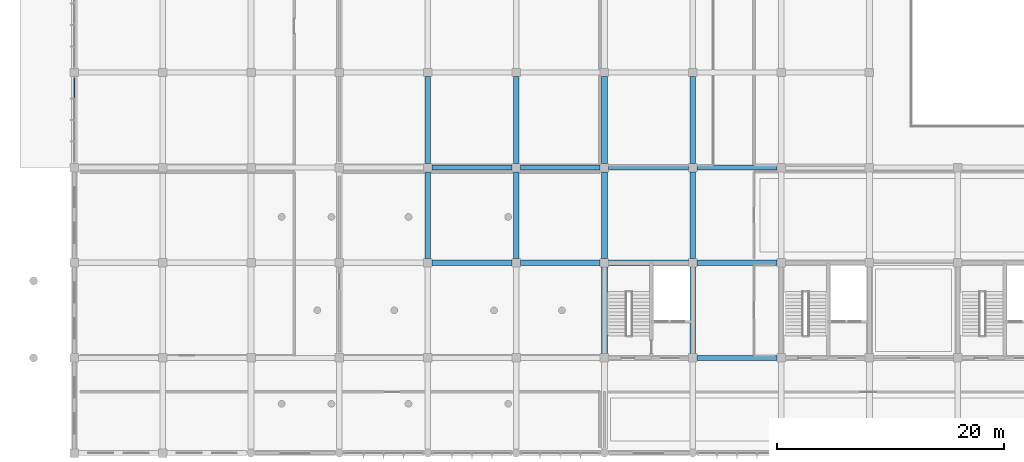
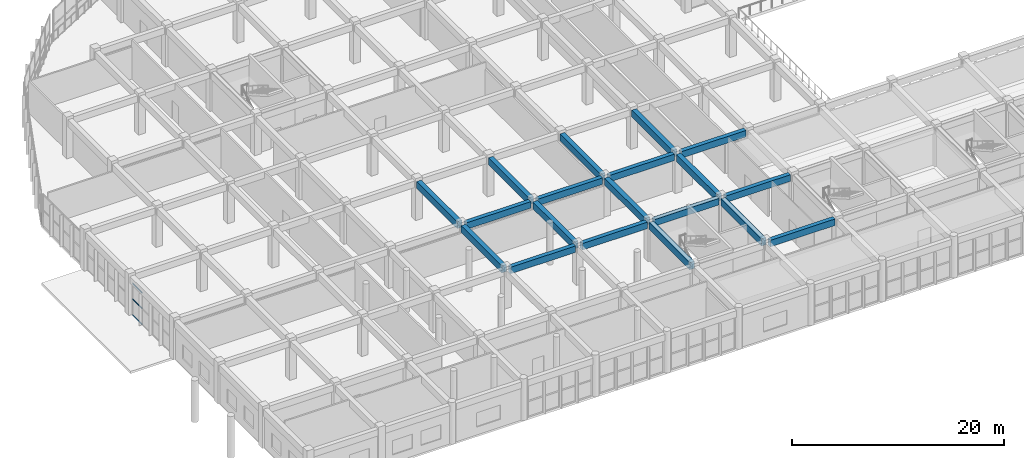
# One storey, part 19 of 175: 19 beams, 3 members, 1 element without a shape of its own.
"""IFC4 building model written with IfcOpenShell, lengths in metres."""

from ifc_helpers import new_model, si_unit, direction, frame, origin, origin_2d, place, context, subcontext, project, spatial, rectangle, hollow_rectangle, extrude, material, layer, layer_set, material_profile, profile_set, type_object, element, aggregate, save


model = new_model("IFC4")

# Units and contexts
model_context = context("Model", 3, precision=1e-05, world=origin(), true_north=direction((0.0, 1.0)))
body_context = subcontext(model_context, "Body", "Model", "MODEL_VIEW")
ifc_project = project(units=[si_unit("LENGTHUNIT", "METRE"), si_unit("AREAUNIT", "SQUARE_METRE"), si_unit("VOLUMEUNIT", "CUBIC_METRE"), si_unit("PLANEANGLEUNIT", "RADIAN"), si_unit("MASSUNIT", "GRAM", prefix="KILO")], contexts=[model_context])

# Site, building, storey
site_placement = place(None, origin())
site = spatial("IfcSite", under=ifc_project, at=site_placement, CompositionType="ELEMENT")
building_placement = place(site_placement, origin())
building = spatial("IfcBuilding", under=site, at=building_placement, Name="Zizhar Promenade General Hospital", CompositionType="ELEMENT")
storey_placement = place(building_placement, frame((0.0, 0.0, 4.800048828125)))
storey = spatial("IfcBuildingStorey", under=building, at=storey_placement, Name="L01", CompositionType="ELEMENT", Elevation=4.800048828125)

# Beams
ifc_material_1 = material(Name="Concrete C35/45", Category="concrete")
ifc_material_profile_1 = material_profile(ifc_material_1, rectangle(XDim=0.449951171875, YDim=0.75, at=origin_2d()))
ifc_profile_set_1 = profile_set([ifc_material_profile_1], Name="Concrete C35/45")
beam_type_1 = type_object("IfcBeamType", Name="BM-RC-450x750", PredefinedType="BEAM", material=ifc_profile_set_1)
for number, where, z_axis, x_axis, name in (
    (1, (31.574951171875, 16.800048828125, 4.094970703125), (1.0, 0.0, 0.0), (0.0, 1.0, 0.0), "Grid Beam X L01 (4-2)"),
    (2, (31.574951171875, 25.199951171875, 4.094970703125), (1.0, 0.0, 0.0), (0.0, 1.0, 0.0), "Grid Beam X L01 (4-3)"),
    (3, (39.375, 16.800048828125, 4.094970703125), (1.0, 0.0, 0.0), (0.0, 1.0, 0.0), "Grid Beam X L01 (5-2)"),
    (4, (39.375, 25.199951171875, 4.094970703125), (1.0, 0.0, 0.0), (0.0, 1.0, 0.0), "Grid Beam X L01 (5-3)"),
    (5, (47.175048828125, 16.800048828125, 4.094970703125), (1.0, 0.0, 0.0), (0.0, 1.0, 0.0), "Grid Beam X L01 (6-2)"),
    (6, (47.175048828125, 25.199951171875, 4.094970703125), (1.0, 0.0, 0.0), (0.0, 1.0, 0.0), "Grid Beam X L01 (6-3)"),
):
    element("IfcBeam", number, at=place(storey_placement, frame(where, z_axis=z_axis, x_axis=x_axis)), inside=storey, type_object=beam_type_1, Name=name, PredefinedType="BEAM", context=body_context, shape_type="SweptSolid", body=[
        extrude(rectangle(XDim=0.449951171875, YDim=0.75, at=origin_2d()), origin(), (0.0, 0.0, 1.0), 7.050048828125),
    ])
for number, where, z_axis, x_axis, name in (
    (7, (54.97509765625, 8.39990234375, 4.094970703125), (1.0, 0.0, 0.0), (0.0, 1.0, 0.0), "Grid Beam X L01 (7-1)"),
    (8, (54.97509765625, 16.800048828125, 4.094970703125), (1.0, 0.0, 0.0), (0.0, 1.0, 0.0), "Grid Beam X L01 (7-2)"),
    (9, (54.97509765625, 25.199951171875, 4.094970703125), (1.0, 0.0, 0.0), (0.0, 1.0, 0.0), "Grid Beam X L01 (7-3)"),
):
    element("IfcBeam", number, at=place(storey_placement, frame(where, z_axis=z_axis, x_axis=x_axis)), inside=storey, type_object=beam_type_1, Name=name, PredefinedType="BEAM", context=body_context, shape_type="SweptSolid", body=[
        extrude(rectangle(XDim=0.449951171875, YDim=0.75, at=origin_2d()), origin(), (0.0, 0.0, 1.0), 7.0498046875),
    ])
ifc_material_2 = material(Name="Concrete C35/45", Category="concrete")
ifc_material_profile_2 = material_profile(ifc_material_2, rectangle(XDim=0.5, YDim=0.800048828125, at=origin_2d()))
ifc_profile_set_2 = profile_set([ifc_material_profile_2], Name="Concrete C35/45")
beam_type_2 = type_object("IfcBeamType", Name="BM-RC-500x800", PredefinedType="BEAM", material=ifc_profile_set_2)
beam_1_placement = place(storey_placement, frame((31.199951171875, 17.175048828125, 4.070068359375), z_axis=(0.0, 1.0, 0.0), x_axis=(-1.0, 0.0, 0.0)))
element("IfcBeam", 10, at=beam_1_placement, inside=storey, type_object=beam_type_2, Name="Grid Beam Y L01 (4-2)", PredefinedType="BEAM", context=body_context, shape_type="SweptSolid", body=[
    extrude(rectangle(XDim=0.5, YDim=0.800048828125, at=origin_2d()), origin(), (0.0, 0.0, 1.0), 7.64990234375),
])
beam_2_placement = place(storey_placement, frame((31.199951171875, 25.574951171875, 4.070068359375), z_axis=(0.0, 1.0, 0.0), x_axis=(-1.0, 0.0, 0.0)))
element("IfcBeam", 11, at=beam_2_placement, inside=storey, type_object=beam_type_2, Name="Grid Beam Y L01 (4-3)", PredefinedType="BEAM", context=body_context, shape_type="SweptSolid", body=[
    extrude(rectangle(XDim=0.5, YDim=0.800048828125, at=origin_2d()), origin(), (0.0, 0.0, 1.0), 7.650146484375),
])
beam_3_placement = place(storey_placement, frame((39.0, 17.175048828125, 4.070068359375), z_axis=(0.0, 1.0, 0.0), x_axis=(-1.0, 0.0, 0.0)))
element("IfcBeam", 12, at=beam_3_placement, inside=storey, type_object=beam_type_2, Name="Grid Beam Y L01 (5-2)", PredefinedType="BEAM", context=body_context, shape_type="SweptSolid", body=[
    extrude(rectangle(XDim=0.5, YDim=0.800048828125, at=origin_2d()), origin(), (0.0, 0.0, 1.0), 7.64990234375),
])
for number, where, z_axis, x_axis, name in (
    (13, (39.0, 25.574951171875, 4.070068359375), (0.0, 1.0, 0.0), (-1.0, 0.0, 0.0), "Grid Beam Y L01 (5-3)"),
    (14, (46.800048828125, 8.77490234375, 4.070068359375), (0.0, 1.0, 0.0), (-1.0, 0.0, 0.0), "Grid Beam Y L01 (6-1)"),
):
    element("IfcBeam", number, at=place(storey_placement, frame(where, z_axis=z_axis, x_axis=x_axis)), inside=storey, type_object=beam_type_2, Name=name, PredefinedType="BEAM", context=body_context, shape_type="SweptSolid", body=[
        extrude(rectangle(XDim=0.5, YDim=0.800048828125, at=origin_2d()), origin(), (0.0, 0.0, 1.0), 7.650146484375),
    ])
beam_4_placement = place(storey_placement, frame((46.800048828125, 17.175048828125, 4.070068359375), z_axis=(0.0, 1.0, 0.0), x_axis=(-1.0, 0.0, 0.0)))
element("IfcBeam", 15, at=beam_4_placement, inside=storey, type_object=beam_type_2, Name="Grid Beam Y L01 (6-2)", PredefinedType="BEAM", context=body_context, shape_type="SweptSolid", body=[
    extrude(rectangle(XDim=0.5, YDim=0.800048828125, at=origin_2d()), origin(), (0.0, 0.0, 1.0), 7.64990234375),
])
for number, where, z_axis, x_axis, name in (
    (16, (46.800048828125, 25.574951171875, 4.070068359375), (0.0, 1.0, 0.0), (-1.0, 0.0, 0.0), "Grid Beam Y L01 (6-3)"),
    (17, (54.60009765625, 8.77490234375, 4.070068359375), (0.0, 1.0, 0.0), (-1.0, 0.0, 0.0), "Grid Beam Y L01 (7-1)"),
):
    element("IfcBeam", number, at=place(storey_placement, frame(where, z_axis=z_axis, x_axis=x_axis)), inside=storey, type_object=beam_type_2, Name=name, PredefinedType="BEAM", context=body_context, shape_type="SweptSolid", body=[
        extrude(rectangle(XDim=0.5, YDim=0.800048828125, at=origin_2d()), origin(), (0.0, 0.0, 1.0), 7.650146484375),
    ])
beam_5_placement = place(storey_placement, frame((54.60009765625, 17.175048828125, 4.070068359375), z_axis=(0.0, 1.0, 0.0), x_axis=(-1.0, 0.0, 0.0)))
element("IfcBeam", 18, at=beam_5_placement, inside=storey, type_object=beam_type_2, Name="Grid Beam Y L01 (7-2)", PredefinedType="BEAM", context=body_context, shape_type="SweptSolid", body=[
    extrude(rectangle(XDim=0.5, YDim=0.800048828125, at=origin_2d()), origin(), (0.0, 0.0, 1.0), 7.64990234375),
])
beam_6_placement = place(storey_placement, frame((54.60009765625, 25.574951171875, 4.070068359375), z_axis=(0.0, 1.0, 0.0), x_axis=(-1.0, 0.0, 0.0)))
element("IfcBeam", 19, at=beam_6_placement, inside=storey, type_object=beam_type_2, Name="Grid Beam Y L01 (7-3)", PredefinedType="BEAM", context=body_context, shape_type="SweptSolid", body=[
    extrude(rectangle(XDim=0.5, YDim=0.800048828125, at=origin_2d()), origin(), (0.0, 0.0, 1.0), 7.650146484375),
])

# Curtain wall, members
ifc_material_3 = material(Name="Anodised aluminium 6063-T6 and low-E glass", Category="aluminium")
ifc_layer = layer(ifc_material_3, 0.159912109375)
ifc_layer_set = layer_set([ifc_layer], Name="Anodised aluminium 6063-T6 and low-E glass")
curtain_wall_type = type_object("IfcCurtainWallType", Name="CW-ED-FRONT", PredefinedType="NOTDEFINED", material=ifc_layer_set)
curtain_wall_placement = place(storey_placement, origin())
curtain_wall = element("IfcCurtainWall", 20, at=curtain_wall_placement, inside=storey, type_object=curtain_wall_type, Name="West Diagnostic Arm Glazed Curtain Wall L01-W3", PredefinedType="NOTDEFINED")
ifc_material_4 = material(Name="Anodised aluminium 6063-T6", Category="aluminium")
ifc_material_profile_3 = material_profile(ifc_material_4, hollow_rectangle(XDim=0.06005859375, YDim=0.14990234375, WallThickness=0.00390625, at=origin_2d()))
ifc_profile_set_3 = profile_set([ifc_material_profile_3], Name="Anodised aluminium 6063-T6")
member_type = type_object("IfcMemberType", Name="CWT-ALU-150x60", PredefinedType="USERDEFINED", material=ifc_profile_set_3)
member_1_placement = place(storey_placement, frame((0.0, 31.35009765625, 0.030029296875), z_axis=(0.0, 1.0, 0.0), x_axis=(-1.0, 0.0, 0.0)))
member_1 = element("IfcMember", 21, at=member_1_placement, type_object=member_type, Name="CW-06 transom 4.1", ObjectType="TRANSOM", PredefinedType="USERDEFINED", context=body_context, shape_type="SweptSolid", body=[
    extrude(hollow_rectangle(XDim=0.06005859375, YDim=0.14990234375, WallThickness=0.00390625, at=origin_2d()), origin(), (0.0, 0.0, 1.0), 1.789794921875),
])
member_2_placement = place(storey_placement, frame((0.0, 31.35009765625, 1.83984375), z_axis=(0.0, 1.0, 0.0), x_axis=(-1.0, 0.0, 0.0)))
member_2 = element("IfcMember", 22, at=member_2_placement, type_object=member_type, Name="CW-06 transom 4.2", ObjectType="TRANSOM", PredefinedType="USERDEFINED", context=body_context, shape_type="SweptSolid", body=[
    extrude(hollow_rectangle(XDim=0.06005859375, YDim=0.14990234375, WallThickness=0.00390625, at=origin_2d()), origin(), (0.0, 0.0, 1.0), 1.789794921875),
])
member_3_placement = place(storey_placement, frame((0.0, 31.35009765625, 3.64990234375), z_axis=(0.0, 1.0, 0.0), x_axis=(-1.0, 0.0, 0.0)))
member_3 = element("IfcMember", 23, at=member_3_placement, type_object=member_type, Name="CW-06 transom 4.3", ObjectType="TRANSOM", PredefinedType="USERDEFINED", context=body_context, shape_type="SweptSolid", body=[
    extrude(hollow_rectangle(XDim=0.06005859375, YDim=0.14990234375, WallThickness=0.00390625, at=origin_2d()), origin(), (0.0, 0.0, 1.0), 1.789794921875),
])
aggregate(curtain_wall, [member_1, member_2, member_3])

save(model, "model.ifc")
